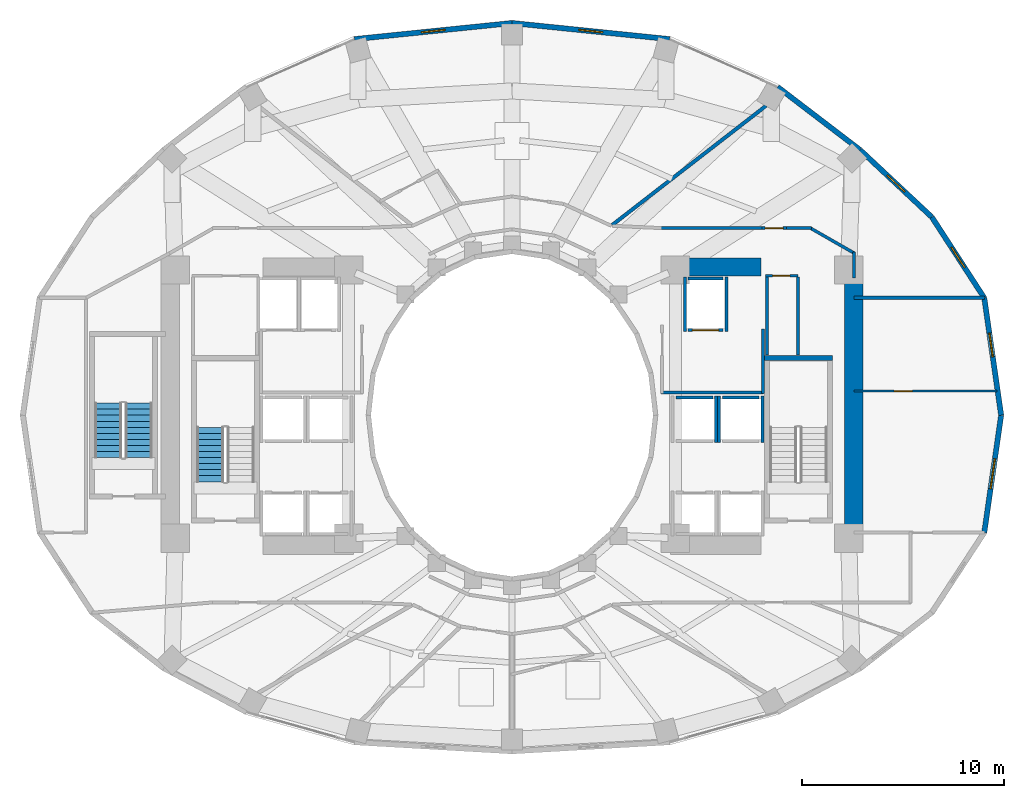
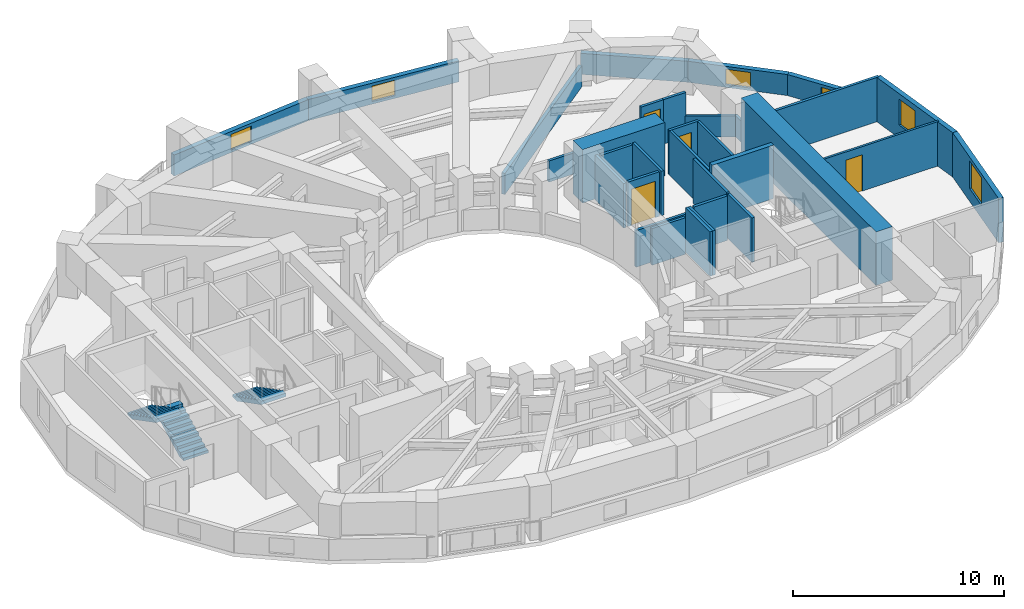
# One storey, part 12 of 16: 32 walls, 6 windows, 4 doors, 3 stair flights, 10 openings, 2 elements without a shape of their own.
"""IFC4 building model written with IfcOpenShell, lengths in metres."""

from ifc_helpers import new_model, si_unit, direction, frame, frame_2d, origin, place, context, subcontext, project, spatial, polyline, rectangle, outline, extrude, material, layer, layer_set, type_object, element, fill, aggregate, save


model = new_model("IFC4")

# Units and contexts
model_context = context("Model", 3, precision=1e-05, world=origin(), true_north=direction((0.0, 1.0)))
body_context = subcontext(model_context, "Body", "Model", "MODEL_VIEW")
ifc_project = project(units=[si_unit("LENGTHUNIT", "METRE"), si_unit("AREAUNIT", "SQUARE_METRE"), si_unit("VOLUMEUNIT", "CUBIC_METRE"), si_unit("PLANEANGLEUNIT", "RADIAN"), si_unit("MASSUNIT", "GRAM", prefix="KILO")], contexts=[model_context])

# Site, building, storey
site_placement = place(None, origin())
site = spatial("IfcSite", under=ifc_project, at=site_placement, CompositionType="ELEMENT")
building_placement = place(site_placement, origin())
building = spatial("IfcBuilding", under=site, at=building_placement, Name="Solvane Sanctuary Tower", CompositionType="ELEMENT")
storey_placement = place(building_placement, frame((0.0, 0.0, 82.5)))
storey = spatial("IfcBuildingStorey", under=building, at=storey_placement, Name="L24", CompositionType="ELEMENT", Elevation=82.5)

# Walls
ifc_material_1 = material(Name="Concrete C70/85", Category="concrete")
ifc_layer_1 = layer(ifc_material_1, 0.89990234375, Name="Concrete C70/85")
ifc_layer_set_1 = layer_set([ifc_layer_1], Name="Concrete C70/85")
wall_type_1 = type_object("IfcWallType", Name="Wall W-CORE-900", PredefinedType="SHEAR", material=ifc_layer_set_1)
wall_1_placement = place(storey_placement, frame((48.949951171875, 17.050048828125, 0.0), z_axis=(0.0, 0.0, 1.0), x_axis=(0.0, 1.0, 0.0)))
element("IfcWall", 1, at=wall_1_placement, inside=storey, type_object=wall_type_1, Name="L24 Core Shear Wall EC-E", PredefinedType="SHEAR", context=body_context, shape_type="SweptSolid", body=[
    extrude(rectangle(XDim=12.800048828125, YDim=0.89990234375, at=frame_2d((6.39990234375, 0.0))), origin(), (0.0, 0.0, 1.0), 3.10009765625),
])
wall_2_placement = place(storey_placement, frame((39.85009765625, 30.35009765625, 0.0), z_axis=(0.0, 0.0, 1.0), x_axis=(1.0, 0.0, 0.0)))
element("IfcWall", 2, at=wall_2_placement, inside=storey, type_object=wall_type_1, Name="L24 Core Shear Wall EC-N", PredefinedType="SHEAR", context=body_context, shape_type="SweptSolid", body=[
    extrude(rectangle(XDim=4.5, YDim=0.89990234375, at=frame_2d((2.25, 0.0))), origin(), (0.0, 0.0, 1.0), 3.10009765625),
])
ifc_material_2 = material(Name="Acoustic Gypsum Partition Board")
ifc_layer_2 = layer(ifc_material_2, 0.14990234375, Name="Acoustic Gypsum Partition Board")
ifc_layer_set_2 = layer_set([ifc_layer_2], Name="Acoustic Gypsum Partition Board")
wall_type_2 = type_object("IfcWallType", Name="Wall W-CORR-150", PredefinedType="PARTITIONING", material=ifc_layer_set_2)
wall_3_placement = place(storey_placement, frame((39.39990234375, 24.1201171875, 0.0), z_axis=(0.0, 0.0, 1.0), x_axis=(1.0, 0.0, 0.0)))
element("IfcWall", 3, at=wall_3_placement, inside=storey, type_object=wall_type_2, Name="L24 East Firefighting Lobby South Wall", PredefinedType="PARTITIONING", context=body_context, shape_type="SweptSolid", body=[
    extrude(rectangle(XDim=5.080078125, YDim=0.14990234375, at=frame_2d((2.5400390625, 0.0))), origin(), (0.0, 0.0, 1.0), 2.1201171875),
])
wall_4_placement = place(storey_placement, frame((44.449951171875, 24.080078125, 0.0), z_axis=(0.0, 0.0, 1.0), x_axis=(0.0, 1.0, 0.0)))
element("IfcWall", 4, at=wall_4_placement, inside=storey, type_object=wall_type_2, Name="L24 East Firefighting Lobby East Wall", PredefinedType="PARTITIONING", context=body_context, shape_type="SweptSolid", body=[
    extrude(rectangle(XDim=3.199951171875, YDim=0.14990234375, at=frame_2d((1.60009765625, 0.0))), origin(), (0.0, 0.0, 1.0), 2.574951171875),
])
wall_5_placement = place(storey_placement, frame((48.949951171875, 28.8251953125, 0.0), z_axis=(0.0, 0.0, 1.0), x_axis=(1.0, 0.0, 0.0)))
element("IfcWall", 5, at=wall_5_placement, inside=storey, type_object=wall_type_2, Name="L24 East Shoulder North Wall", PredefinedType="PARTITIONING", context=body_context, shape_type="SweptSolid", body=[
    extrude(rectangle(XDim=6.49169921875, YDim=0.14990234375, at=frame_2d((3.245849609375, 0.0))), origin(), (0.0, 0.0, 1.0), 2.574951171875),
])
wall_6_placement = place(storey_placement, frame((48.949951171875, 29.800048828125, 0.0), z_axis=(0.0, 0.0, 1.0), x_axis=(0.0, 1.0, 0.0)))
element("IfcWall", 6, at=wall_6_placement, inside=storey, type_object=wall_type_2, Name="L24 NE Corner Closer 1", PredefinedType="PARTITIONING", context=body_context, shape_type="SweptSolid", body=[
    extrude(rectangle(XDim=1.2900390625, YDim=0.14990234375, at=frame_2d((0.64501953125, 0.0))), origin(), (0.0, 0.0, 1.0), 1.219970703125),
])
wall_7_placement = place(storey_placement, frame((39.330078125, 32.280029296875, 0.0), z_axis=(0.0, 0.0, 1.0), x_axis=(1.0, 0.0, 0.0)))
element("IfcWall", 7, at=wall_7_placement, inside=storey, type_object=wall_type_2, Name="L24 NE Corner Corridor Wall", PredefinedType="PARTITIONING", context=body_context, shape_type="SweptSolid", body=[
    extrude(rectangle(XDim=5.059814453125, YDim=0.14990234375, at=frame_2d((2.52978515625, 0.0))), origin(), (0.0, 0.0, 1.0), 1.219970703125),
])

# Wall, opening, door
wall_8_placement = place(storey_placement, frame((44.389892578125, 32.280029296875, 0.0), z_axis=(0.0, 0.0, 1.0), x_axis=(1.0, 0.0, 0.0)))
wall_8 = element("IfcWall", 8, at=wall_8_placement, inside=storey, type_object=wall_type_2, Name="L24 NE Corner Corridor Wall", PredefinedType="PARTITIONING", context=body_context, shape_type="SweptSolid", body=[
    extrude(rectangle(XDim=1.22021484375, YDim=0.14990234375, at=frame_2d((0.610107421875, 0.0))), origin(), (0.0, 0.0, 1.0), 2.574951171875),
])
opening_1_placement = place(wall_8_placement, frame((0.159912109375, 0.0, 0.0)))
opening_1 = element("IfcOpeningElement", 9, at=opening_1_placement, cuts=wall_8, Name="Opening D-L24-11", PredefinedType="OPENING", context=body_context, shape_type="SweptSolid", body=[
    extrude(rectangle(XDim=0.89990234375, YDim=2.10009765625, at=frame_2d((0.449951171875, 1.050048828125))), frame((0.0, 0.0849609375, 0.0), z_axis=(0.0, -1.0, 0.0), x_axis=(1.0, 0.0, 0.0)), (0.0, 0.0, 1.0), 0.169921875),
])
ifc_material_3 = material(Name="Engineered Tropical Hardwood", Category="wood")
door_type_1 = type_object("IfcDoorType", Name="Door D-WET-900", OperationType="NOTDEFINED", PredefinedType="DOOR", material=ifc_material_3)
door_1_placement = place(opening_1_placement, origin())
door_1 = element("IfcDoor", 10, at=door_1_placement, inside=storey, type_object=door_type_1, Name="L24 NE Corner Salon Door", OperationType="SINGLE_SWING_RIGHT", OverallHeight=2.10009765625, OverallWidth=0.89990234375, PredefinedType="DOOR", context=body_context, shape_type="SweptSolid", body=[
    extrude(rectangle(XDim=0.89990234375, YDim=2.10009765625, at=frame_2d((0.449951171875, 1.050048828125))), frame((0.0, 0.02490234375, 0.0), z_axis=(0.0, -1.0, 0.0), x_axis=(1.0, 0.0, 0.0)), (0.0, 0.0, 1.0), 0.050048828125),
])
fill(opening_1, door_1)

# Walls
wall_9_placement = place(storey_placement, frame((45.610107421875, 32.280029296875, 0.0), z_axis=(0.0, 0.0, 1.0), x_axis=(1.0, 0.0, 0.0)))
element("IfcWall", 11, at=wall_9_placement, inside=storey, type_object=wall_type_2, Name="L24 NE Corner Corridor Wall", PredefinedType="PARTITIONING", context=body_context, shape_type="SweptSolid", body=[
    extrude(rectangle(XDim=1.239990234375, YDim=0.14990234375, at=frame_2d((0.6201171875, 0.0))), origin(), (0.0, 0.0, 1.0), 2.574951171875),
])
wall_10_placement = place(storey_placement, frame((46.756591796875, 32.3046875, 0.0), z_axis=(0.0, 0.0, 1.0), x_axis=(0.867991349648, -0.496579315857, 0.0)))
element("IfcWall", 12, at=wall_10_placement, inside=storey, type_object=wall_type_2, Name="L24 NE Corner Wing Wall", PredefinedType="PARTITIONING", context=body_context, shape_type="SweptSolid", body=[
    extrude(rectangle(XDim=2.56689453125, YDim=0.14990234375, at=frame_2d((1.283447265625, 0.0))), origin(), (0.0, 0.0, 1.0), 1.219970703125),
])

# Wall, opening, window
ifc_material_4 = material(Name="Precast concrete C40/50", Category="concrete")
ifc_layer_3 = layer(ifc_material_4, 0.260009765625, Name="Precast concrete C40/50")
ifc_layer_set_3 = layer_set([ifc_layer_3], Name="Precast concrete C40/50")
wall_type_3 = type_object("IfcWallType", Name="Wall W-EXT-250", PredefinedType="STANDARD", material=ifc_layer_set_3)
wall_11_placement = place(storey_placement, frame((56.260009765625, 23.0, 0.0), z_axis=(0.0, 0.0, 1.0), x_axis=(-0.142572472068, 0.98978436551, 0.0)))
wall_11 = element("IfcWall", 13, at=wall_11_placement, inside=storey, type_object=wall_type_3, Name="L24 Ceramic-Printed Facade Wall 00", PredefinedType="STANDARD", context=body_context, shape_type="SweptSolid", body=[
    extrude(rectangle(XDim=5.878662109375, YDim=0.260009765625, at=frame_2d((2.939453125, 0.0))), origin(), (0.0, 0.0, 1.0), 2.570068359375),
])
opening_2_placement = place(wall_11_placement, frame((2.920654296875, 0.0, 0.75)))
opening_2 = element("IfcOpeningElement", 14, at=opening_2_placement, cuts=wall_11, Name="Opening WN-OPER-1200", PredefinedType="OPENING", context=body_context, shape_type="SweptSolid", body=[
    extrude(rectangle(XDim=1.199951171875, YDim=1.5, at=frame_2d((0.60009765625, 0.75))), frame((0.0, 0.139892578125, 0.0), z_axis=(0.0, -1.0, 0.0), x_axis=(1.0, 0.0, 0.0)), (0.0, 0.0, 1.0), 0.280029296875),
])
ifc_material_5 = material(Name="Dark Ceramic-Fritted Low-E Glass", Category="glass")
window_type_1 = type_object("IfcWindowType", Name="Window WN-OPER-1200", PartitioningType="SINGLE_PANEL", PredefinedType="WINDOW", material=ifc_material_5)
window_1_placement = place(opening_2_placement, origin())
window_1 = element("IfcWindow", 15, at=window_1_placement, inside=storey, type_object=window_type_1, Name="L24 Operable Facade Window 00", OverallHeight=1.5, OverallWidth=1.199951171875, PartitioningType="SINGLE_PANEL", PredefinedType="WINDOW", context=body_context, shape_type="SweptSolid", body=[
    extrude(rectangle(XDim=1.199951171875, YDim=1.5, at=frame_2d((0.60009765625, 0.75))), frame((0.0, 0.030029296875, 0.0), z_axis=(0.0, -1.0, 0.0), x_axis=(1.0, 0.0, 0.0)), (0.0, 0.0, 1.0), 0.06005859375),
])
fill(opening_2, window_1)

wall_12_placement = place(storey_placement, frame((55.421875, 28.818603515625, 0.0), z_axis=(0.0, 0.0, 1.0), x_axis=(-0.544388392991, 0.838833283541, 0.0)))
wall_12 = element("IfcWall", 16, at=wall_12_placement, inside=storey, type_object=wall_type_3, Name="L24 Ceramic-Printed Facade Wall 01", PredefinedType="STANDARD", context=body_context, shape_type="SweptSolid", body=[
    extrude(rectangle(XDim=4.7783203125, YDim=0.260009765625, at=frame_2d((2.38916015625, 0.0))), origin(), (0.0, 0.0, 1.0), 1.219970703125),
])
opening_3_placement = place(wall_12_placement, frame((1.7890625, 0.0, 0.14990234375)))
opening_3 = element("IfcOpeningElement", 17, at=opening_3_placement, cuts=wall_12, Name="Opening WN-OPER-1200", PredefinedType="OPENING", context=body_context, shape_type="SweptSolid", body=[
    extrude(rectangle(XDim=1.199951171875, YDim=0.89990234375, at=frame_2d((0.60009765625, 0.449951171875))), frame((0.0, 0.139892578125, 0.0), z_axis=(0.0, -1.0, 0.0), x_axis=(1.0, 0.0, 0.0)), (0.0, 0.0, 1.0), 0.280029296875),
])
window_2_placement = place(opening_3_placement, origin())
window_2 = element("IfcWindow", 18, at=window_2_placement, inside=storey, type_object=window_type_1, Name="L24 Operable Facade Window 01", OverallHeight=0.89990234375, OverallWidth=1.199951171875, PartitioningType="SINGLE_PANEL", PredefinedType="WINDOW", context=body_context, shape_type="SweptSolid", body=[
    extrude(rectangle(XDim=1.199951171875, YDim=0.89990234375, at=frame_2d((0.60009765625, 0.449951171875))), frame((0.0, 0.030029296875, 0.0), z_axis=(0.0, -1.0, 0.0), x_axis=(1.0, 0.0, 0.0)), (0.0, 0.0, 1.0), 0.06005859375),
])
fill(opening_3, window_2)

wall_13_placement = place(storey_placement, frame((52.820556640625, 32.826904296875, 0.0), z_axis=(0.0, 0.0, 1.0), x_axis=(-0.730162452258, 0.68327358599, 0.0)))
wall_13 = element("IfcWall", 19, at=wall_13_placement, inside=storey, type_object=wall_type_3, Name="L24 Ceramic-Printed Facade Wall 02", PredefinedType="STANDARD", context=body_context, shape_type="SweptSolid", body=[
    extrude(rectangle(XDim=4.868408203125, YDim=0.260009765625, at=frame_2d((2.43408203125, 0.0))), origin(), (0.0, 0.0, 1.0), 1.219970703125),
])
opening_4_placement = place(wall_13_placement, frame((1.834228515625, 0.0, 0.14990234375)))
opening_4 = element("IfcOpeningElement", 20, at=opening_4_placement, cuts=wall_13, Name="Opening WN-OPER-1200", PredefinedType="OPENING", context=body_context, shape_type="SweptSolid", body=[
    extrude(rectangle(XDim=1.199951171875, YDim=0.89990234375, at=frame_2d((0.60009765625, 0.449951171875))), frame((0.0, 0.139892578125, 0.0), z_axis=(0.0, -1.0, 0.0), x_axis=(1.0, 0.0, 0.0)), (0.0, 0.0, 1.0), 0.280029296875),
])
window_3_placement = place(opening_4_placement, origin())
window_3 = element("IfcWindow", 21, at=window_3_placement, inside=storey, type_object=window_type_1, Name="L24 Operable Facade Window 02", OverallHeight=0.89990234375, OverallWidth=1.199951171875, PartitioningType="SINGLE_PANEL", PredefinedType="WINDOW", context=body_context, shape_type="SweptSolid", body=[
    extrude(rectangle(XDim=1.199951171875, YDim=0.89990234375, at=frame_2d((0.60009765625, 0.449951171875))), frame((0.0, 0.030029296875, 0.0), z_axis=(0.0, -1.0, 0.0), x_axis=(1.0, 0.0, 0.0)), (0.0, 0.0, 1.0), 0.06005859375),
])
fill(opening_4, window_3)

# Wall
wall_14_placement = place(storey_placement, frame((49.265869140625, 36.1533203125, 0.0), z_axis=(0.0, 0.0, 1.0), x_axis=(-0.794809810864, 0.606858603427, 0.0)))
element("IfcWall", 22, at=wall_14_placement, inside=storey, type_object=wall_type_3, Name="L24 Ceramic-Printed Facade Wall 03", PredefinedType="STANDARD", context=body_context, shape_type="SweptSolid", body=[
    extrude(rectangle(XDim=5.149169921875, YDim=0.260009765625, at=frame_2d((2.57470703125, 0.0))), origin(), (0.0, 0.0, 1.0), 1.219970703125),
])

# Wall, opening, window
wall_15_placement = place(storey_placement, frame((39.81640625, 41.650634765625, 0.0), z_axis=(0.0, 0.0, 1.0), x_axis=(-0.994821390558, 0.101638579726, 0.0)))
wall_15 = element("IfcWall", 23, at=wall_15_placement, inside=storey, type_object=wall_type_3, Name="L24 Ceramic-Printed Facade Wall 05", PredefinedType="STANDARD", context=body_context, shape_type="SweptSolid", body=[
    extrude(rectangle(XDim=7.857177734375, YDim=0.260009765625, at=frame_2d((3.9287109375, 0.0))), origin(), (0.0, 0.0, 1.0), 1.219970703125),
])
opening_5_placement = place(wall_15_placement, frame((3.32861328125, 0.0, 0.14990234375)))
opening_5 = element("IfcOpeningElement", 24, at=opening_5_placement, cuts=wall_15, Name="Opening WN-OPER-1200", PredefinedType="OPENING", context=body_context, shape_type="SweptSolid", body=[
    extrude(rectangle(XDim=1.199951171875, YDim=0.89990234375, at=frame_2d((0.60009765625, 0.449951171875))), frame((0.0, 0.139892578125, 0.0), z_axis=(0.0, -1.0, 0.0), x_axis=(1.0, 0.0, 0.0)), (0.0, 0.0, 1.0), 0.280029296875),
])
window_4_placement = place(opening_5_placement, origin())
window_4 = element("IfcWindow", 25, at=window_4_placement, inside=storey, type_object=window_type_1, Name="L24 Operable Facade Window 05", OverallHeight=0.89990234375, OverallWidth=1.199951171875, PartitioningType="SINGLE_PANEL", PredefinedType="WINDOW", context=body_context, shape_type="SweptSolid", body=[
    extrude(rectangle(XDim=1.199951171875, YDim=0.89990234375, at=frame_2d((0.60009765625, 0.449951171875))), frame((0.0, 0.030029296875, 0.0), z_axis=(0.0, -1.0, 0.0), x_axis=(1.0, 0.0, 0.0)), (0.0, 0.0, 1.0), 0.06005859375),
])
fill(opening_5, window_4)

wall_16_placement = place(storey_placement, frame((32.0, 42.44921875, 0.0), z_axis=(0.0, 0.0, 1.0), x_axis=(-0.994821390558, -0.101638579726, 0.0)))
wall_16 = element("IfcWall", 26, at=wall_16_placement, inside=storey, type_object=wall_type_3, Name="L24 Ceramic-Printed Facade Wall 06", PredefinedType="STANDARD", context=body_context, shape_type="SweptSolid", body=[
    extrude(rectangle(XDim=7.857177734375, YDim=0.260009765625, at=frame_2d((3.9287109375, 0.0))), origin(), (0.0, 0.0, 1.0), 1.219970703125),
])
opening_6_placement = place(wall_16_placement, frame((3.32861328125, 0.0, 0.14990234375)))
opening_6 = element("IfcOpeningElement", 27, at=opening_6_placement, cuts=wall_16, Name="Opening WN-OPER-1200", PredefinedType="OPENING", context=body_context, shape_type="SweptSolid", body=[
    extrude(rectangle(XDim=1.199951171875, YDim=0.89990234375, at=frame_2d((0.60009765625, 0.449951171875))), frame((0.0, 0.139892578125, 0.0), z_axis=(0.0, -1.0, 0.0), x_axis=(1.0, 0.0, 0.0)), (0.0, 0.0, 1.0), 0.280029296875),
])
window_5_placement = place(opening_6_placement, origin())
window_5 = element("IfcWindow", 28, at=window_5_placement, inside=storey, type_object=window_type_1, Name="L24 Operable Facade Window 06", OverallHeight=0.89990234375, OverallWidth=1.199951171875, PartitioningType="SINGLE_PANEL", PredefinedType="WINDOW", context=body_context, shape_type="SweptSolid", body=[
    extrude(rectangle(XDim=1.199951171875, YDim=0.89990234375, at=frame_2d((0.60009765625, 0.449951171875))), frame((0.0, 0.030029296875, 0.0), z_axis=(0.0, -1.0, 0.0), x_axis=(1.0, 0.0, 0.0)), (0.0, 0.0, 1.0), 0.06005859375),
])
fill(opening_6, window_5)

wall_17_placement = place(storey_placement, frame((55.421875, 17.181396484375, 0.0), z_axis=(0.0, 0.0, 1.0), x_axis=(0.142572472068, 0.98978436551, 0.0)))
wall_17 = element("IfcWall", 29, at=wall_17_placement, inside=storey, type_object=wall_type_3, Name="L24 Ceramic-Printed Facade Wall 23", PredefinedType="STANDARD", context=body_context, shape_type="SweptSolid", body=[
    extrude(rectangle(XDim=5.878662109375, YDim=0.260009765625, at=frame_2d((2.939453125, 0.0))), origin(), (0.0, 0.0, 1.0), 2.570068359375),
])
opening_7_placement = place(wall_17_placement, frame((2.189453125, 0.0, 0.75)))
opening_7 = element("IfcOpeningElement", 30, at=opening_7_placement, cuts=wall_17, Name="Opening WN-OPER-1500", PredefinedType="OPENING", context=body_context, shape_type="SweptSolid", body=[
    extrude(rectangle(XDim=1.5, YDim=1.60009765625, at=frame_2d((0.75, 0.800048828125))), frame((0.0, 0.139892578125, 0.0), z_axis=(0.0, -1.0, 0.0), x_axis=(1.0, 0.0, 0.0)), (0.0, 0.0, 1.0), 0.280029296875),
])
window_type_2 = type_object("IfcWindowType", Name="Window WN-OPER-1500", PartitioningType="SINGLE_PANEL", PredefinedType="WINDOW", material=ifc_material_5)
window_6_placement = place(opening_7_placement, origin())
window_6 = element("IfcWindow", 31, at=window_6_placement, inside=storey, type_object=window_type_2, Name="L24 Operable Facade Window 23", OverallHeight=1.60009765625, OverallWidth=1.5, PartitioningType="SINGLE_PANEL", PredefinedType="WINDOW", context=body_context, shape_type="SweptSolid", body=[
    extrude(rectangle(XDim=1.5, YDim=1.60009765625, at=frame_2d((0.75, 0.800048828125))), frame((0.0, 0.030029296875, 0.0), z_axis=(0.0, -1.0, 0.0), x_axis=(1.0, 0.0, 0.0)), (0.0, 0.0, 1.0), 0.06005859375),
])
fill(opening_7, window_6)

# Wall, opening, door
ifc_layer_4 = layer(ifc_material_2, 0.1201171875, Name="Acoustic Gypsum Partition Board")
ifc_layer_set_4 = layer_set([ifc_layer_4], Name="Acoustic Gypsum Partition Board")
wall_type_4 = type_object("IfcWallType", Name="Wall W-MOV-100", PredefinedType="MOVABLE", material=ifc_layer_set_4)
wall_18_placement = place(storey_placement, frame((48.949951171875, 24.199951171875, 0.0), z_axis=(0.0, 0.0, 1.0), x_axis=(1.0, 0.0, 0.0)))
wall_18 = element("IfcWall", 32, at=wall_18_placement, inside=storey, type_object=wall_type_4, Name="L24 East Suite Partition", PredefinedType="MOVABLE", context=body_context, shape_type="SweptSolid", body=[
    extrude(rectangle(XDim=7.097412109375, YDim=0.1201171875, at=frame_2d((3.548828125, 0.0))), origin(), (0.0, 0.0, 1.0), 2.574951171875),
])
opening_8_placement = place(wall_18_placement, frame((2.0, 0.0, 0.0)))
opening_8 = element("IfcOpeningElement", 33, at=opening_8_placement, cuts=wall_18, Name="Opening D-L24-09", PredefinedType="OPENING", context=body_context, shape_type="SweptSolid", body=[
    extrude(rectangle(XDim=0.89990234375, YDim=2.10009765625, at=frame_2d((0.449951171875, 1.050048828125))), frame((0.0, 0.070068359375, 0.0), z_axis=(0.0, -1.0, 0.0), x_axis=(1.0, 0.0, 0.0)), (0.0, 0.0, 1.0), 0.14013671875),
])
door_2_placement = place(opening_8_placement, origin())
door_2 = element("IfcDoor", 34, at=door_2_placement, inside=storey, type_object=door_type_1, Name="L24 East Suite Internal Door", OperationType="SINGLE_SWING_RIGHT", OverallHeight=2.10009765625, OverallWidth=0.89990234375, PredefinedType="DOOR", context=body_context, shape_type="SweptSolid", body=[
    extrude(rectangle(XDim=0.89990234375, YDim=2.10009765625, at=frame_2d((0.449951171875, 1.050048828125))), frame((0.0, 0.02490234375, 0.0), z_axis=(0.0, -1.0, 0.0), x_axis=(1.0, 0.0, 0.0)), (0.0, 0.0, 1.0), 0.050048828125),
])
fill(opening_8, door_2)

# Walls
ifc_material_6 = material(Name="Concrete C50/60", Category="concrete")
ifc_layer_5 = layer(ifc_material_6, 0.14990234375, Name="Concrete C50/60")
ifc_layer_set_5 = layer_set([ifc_layer_5], Name="Concrete C50/60")
wall_type_5 = type_object("IfcWallType", Name="Wall W-SHAFT-150", PredefinedType="SOLIDWALL", material=ifc_layer_set_5)
wall_19_placement = place(storey_placement, frame((42.43994140625, 23.8798828125, 0.0), z_axis=(0.0, 0.0, 1.0), x_axis=(1.0, 0.0, 0.0)))
element("IfcWall", 35, at=wall_19_placement, inside=storey, type_object=wall_type_5, Name="L24 PM-2 Lift Shaft Wall B", PredefinedType="SOLIDWALL", context=body_context, shape_type="SweptSolid", body=[
    extrude(rectangle(XDim=1.820068359375, YDim=0.14990234375, at=frame_2d((0.91015625, 0.0))), origin(), (0.0, 0.0, 1.0), 2.574951171875),
])
for number, where, z_axis, x_axis, name in (
    (36, (42.27001953125, 21.639892578125, 0.0), (0.0, 0.0, 1.0), (0.0, 1.0, 0.0), "L24 PM-2 Lift Shaft Wall S1"),
    (37, (44.429931640625, 21.639892578125, 0.0), (0.0, 0.0, 1.0), (0.0, 1.0, 0.0), "L24 PM-2 Lift Shaft Wall S2"),
):
    element("IfcWall", number, at=place(storey_placement, frame(where, z_axis=z_axis, x_axis=x_axis)), inside=storey, type_object=wall_type_5, Name=name, PredefinedType="SOLIDWALL", context=body_context, shape_type="SweptSolid", body=[
        extrude(rectangle(XDim=2.320068359375, YDim=0.14990234375, at=frame_2d((1.16015625, 0.0))), origin(), (0.0, 0.0, 1.0), 2.574951171875),
    ])
wall_20_placement = place(storey_placement, frame((40.139892578125, 23.8798828125, 0.0), z_axis=(0.0, 0.0, 1.0), x_axis=(1.0, 0.0, 0.0)))
element("IfcWall", 38, at=wall_20_placement, inside=storey, type_object=wall_type_5, Name="L24 PH-2 Lift Shaft Wall B", PredefinedType="SOLIDWALL", context=body_context, shape_type="SweptSolid", body=[
    extrude(rectangle(XDim=1.820068359375, YDim=0.14990234375, at=frame_2d((0.91015625, 0.0))), origin(), (0.0, 0.0, 1.0), 2.1201171875),
])
wall_21_placement = place(storey_placement, frame((42.1298828125, 21.639892578125, 0.0), z_axis=(0.0, 0.0, 1.0), x_axis=(0.0, 1.0, 0.0)))
element("IfcWall", 39, at=wall_21_placement, inside=storey, type_object=wall_type_5, Name="L24 PH-2 Lift Shaft Wall S2", PredefinedType="SOLIDWALL", context=body_context, shape_type="SweptSolid", body=[
    extrude(rectangle(XDim=2.320068359375, YDim=0.14990234375, at=frame_2d((1.16015625, 0.0))), origin(), (0.0, 0.0, 1.0), 2.574951171875),
])

# Wall, opening, door
wall_22_placement = place(storey_placement, frame((40.739990234375, 27.219970703125, 0.0), z_axis=(0.0, 0.0, 1.0), x_axis=(1.0, 0.0, 0.0)))
wall_22 = element("IfcWall", 40, at=wall_22_placement, inside=storey, type_object=wall_type_5, Name="L24 FFL-2 Lift Shaft Wall F", PredefinedType="SOLIDWALL", context=body_context, shape_type="SweptSolid", body=[
    extrude(rectangle(XDim=1.719970703125, YDim=0.14990234375, at=frame_2d((0.85986328125, 0.0))), origin(), (0.0, 0.0, 1.0), 2.574951171875),
])
opening_9_placement = place(wall_22_placement, frame((0.2099609375, 0.0, 0.0)))
opening_9 = element("IfcOpeningElement", 41, at=opening_9_placement, cuts=wall_22, Name="Opening LD-L24-07", PredefinedType="OPENING", context=body_context, shape_type="SweptSolid", body=[
    extrude(rectangle(XDim=1.300048828125, YDim=2.10009765625, at=frame_2d((0.64990234375, 1.050048828125))), frame((0.0, 0.0849609375, 0.0), z_axis=(0.0, -1.0, 0.0), x_axis=(1.0, 0.0, 0.0)), (0.0, 0.0, 1.0), 0.169921875),
])
ifc_material_7 = material(Name="Architectural Stainless Steel 316", Category="steel")
door_type_2 = type_object("IfcDoorType", Name="Door LD-FFL-1300", OperationType="NOTDEFINED", PredefinedType="DOOR", material=ifc_material_7)
door_3_placement = place(opening_9_placement, origin())
door_3 = element("IfcDoor", 42, at=door_3_placement, inside=storey, type_object=door_type_2, Name="L24 FFL-2 Lift Landing Door", OperationType="DOUBLE_DOOR_SLIDING", OverallHeight=2.10009765625, OverallWidth=1.300048828125, PredefinedType="DOOR", context=body_context, shape_type="SweptSolid", body=[
    extrude(rectangle(XDim=1.300048828125, YDim=2.10009765625, at=frame_2d((0.64990234375, 1.050048828125))), frame((0.0, 0.02490234375, 0.0), z_axis=(0.0, -1.0, 0.0), x_axis=(1.0, 0.0, 0.0)), (0.0, 0.0, 1.0), 0.050048828125),
])
fill(opening_9, door_3)

# Walls
wall_23_placement = place(storey_placement, frame((40.739990234375, 29.780029296875, 0.0), z_axis=(0.0, 0.0, 1.0), x_axis=(1.0, 0.0, 0.0)))
element("IfcWall", 43, at=wall_23_placement, inside=storey, type_object=wall_type_5, Name="L24 FFL-2 Lift Shaft Wall B", PredefinedType="SOLIDWALL", context=body_context, shape_type="SweptSolid", body=[
    extrude(rectangle(XDim=1.719970703125, YDim=0.14990234375, at=frame_2d((0.85986328125, 0.0))), origin(), (0.0, 0.0, 1.0), 2.574951171875),
])
for number, where, z_axis, x_axis, name in (
    (44, (40.570068359375, 27.139892578125, 0.0), (0.0, 0.0, 1.0), (0.0, 1.0, 0.0), "L24 FFL-2 Lift Shaft Wall S1"),
    (45, (42.6298828125, 27.139892578125, 0.0), (0.0, 0.0, 1.0), (0.0, 1.0, 0.0), "L24 FFL-2 Lift Shaft Wall S2"),
):
    element("IfcWall", number, at=place(storey_placement, frame(where, z_axis=z_axis, x_axis=x_axis)), inside=storey, type_object=wall_type_5, Name=name, PredefinedType="SOLIDWALL", context=body_context, shape_type="SweptSolid", body=[
        extrude(rectangle(XDim=2.72021484375, YDim=0.14990234375, at=frame_2d((1.360107421875, 0.0))), origin(), (0.0, 0.0, 1.0), 2.574951171875),
    ])
ifc_layer_6 = layer(ifc_material_6, 0.25, Name="Concrete C50/60")
ifc_layer_set_6 = layer_set([ifc_layer_6], Name="Concrete C50/60")
wall_type_6 = type_object("IfcWallType", Name="Wall W-SHAFT-250", PredefinedType="SOLIDWALL", material=ifc_layer_set_6)
wall_24_placement = place(storey_placement, frame((44.52490234375, 25.830078125, 0.0), z_axis=(0.0, 0.0, 1.0), x_axis=(1.0, 0.0, 0.0)))
element("IfcWall", 46, at=wall_24_placement, inside=storey, type_object=wall_type_6, Name="L24 ST-2 Load-Bearing Shaft Wall N", PredefinedType="SOLIDWALL", context=body_context, shape_type="SweptSolid", body=[
    extrude(rectangle(XDim=3.3701171875, YDim=0.25, at=frame_2d((1.68505859375, 0.0))), origin(), (0.0, 0.0, 1.0), 3.10009765625),
])
ifc_layer_7 = layer(ifc_material_2, 0.179931640625, Name="Acoustic Gypsum Partition Board")
ifc_layer_set_7 = layer_set([ifc_layer_7], Name="Acoustic Gypsum Partition Board")
wall_type_7 = type_object("IfcWallType", Name="Wall W-UNIT-180", PredefinedType="PARTITIONING", material=ifc_layer_set_7)
wall_25_placement = place(storey_placement, frame((36.968505859375, 32.43017578125, 0.0), z_axis=(0.0, 0.0, 1.0), x_axis=(0.790421780952, 0.612562983045, 0.0)))
element("IfcWall", 47, at=wall_25_placement, inside=storey, type_object=wall_type_7, Name="L24 Radial Compartment Wall 060", PredefinedType="PARTITIONING", context=body_context, shape_type="SweptSolid", body=[
    extrude(rectangle(XDim=9.662109375, YDim=0.179931640625, at=frame_2d((4.8310546875, 0.0))), origin(), (0.0, 0.0, 1.0), 1.219970703125),
])

# Wall, opening, door
ifc_layer_8 = layer(ifc_material_2, 0.139892578125, Name="Acoustic Gypsum Partition Board")
ifc_layer_set_8 = layer_set([ifc_layer_8], Name="Acoustic Gypsum Partition Board")
wall_type_8 = type_object("IfcWallType", Name="Wall W-WET-140", PredefinedType="PLUMBINGWALL", material=ifc_layer_set_8)
wall_26_placement = place(storey_placement, frame((44.580078125, 29.919921875, 0.0), z_axis=(0.0, 0.0, 1.0), x_axis=(1.0, 0.0, 0.0)))
wall_26 = element("IfcWall", 48, at=wall_26_placement, inside=storey, type_object=wall_type_8, Name="L24 Core Service Front Wall KE0S", PredefinedType="PLUMBINGWALL", context=body_context, shape_type="SweptSolid", body=[
    extrude(rectangle(XDim=1.599853515625, YDim=0.139892578125, at=frame_2d((0.7998046875, 0.0))), origin(), (0.0, 0.0, 1.0), 2.574951171875),
])
opening_10_placement = place(wall_26_placement, frame((0.35009765625, 0.0, 0.0)))
opening_10 = element("IfcOpeningElement", 49, at=opening_10_placement, cuts=wall_26, Name="Opening D-L24-07", PredefinedType="OPENING", context=body_context, shape_type="SweptSolid", body=[
    extrude(rectangle(XDim=0.85009765625, YDim=2.050048828125, at=frame_2d((0.425048828125, 1.02490234375))), frame((0.0, 0.079833984375, 0.0), z_axis=(0.0, -1.0, 0.0), x_axis=(1.0, 0.0, 0.0)), (0.0, 0.0, 1.0), 0.159912109375),
])
door_type_3 = type_object("IfcDoorType", Name="Door D-RISER", OperationType="NOTDEFINED", PredefinedType="DOOR", material=ifc_material_7)
door_4_placement = place(opening_10_placement, origin())
door_4 = element("IfcDoor", 50, at=door_4_placement, inside=storey, type_object=door_type_3, Name="L24 Core Service Room Door KE0S-1", OperationType="SINGLE_SWING_RIGHT", OverallHeight=2.050048828125, OverallWidth=0.85009765625, PredefinedType="DOOR", context=body_context, shape_type="SweptSolid", body=[
    extrude(rectangle(XDim=0.85009765625, YDim=2.050048828125, at=frame_2d((0.425048828125, 1.02490234375))), frame((0.0, 0.02490234375, 0.0), z_axis=(0.0, -1.0, 0.0), x_axis=(1.0, 0.0, 0.0)), (0.0, 0.0, 1.0), 0.050048828125),
])
fill(opening_10, door_4)

# Walls
for number, where, z_axis, x_axis, name in (
    (51, (44.639892578125, 25.97998046875, 0.0), (0.0, 0.0, 1.0), (0.0, 1.0, 0.0), "L24 Core Service Side Wall KE0S-1"),
    (52, (46.179931640625, 25.97998046875, 0.0), (0.0, 0.0, 1.0), (0.0, 1.0, 0.0), "L24 Core Service Side Wall KE0S-2"),
):
    element("IfcWall", number, at=place(storey_placement, frame(where, z_axis=z_axis, x_axis=x_axis)), inside=storey, type_object=wall_type_8, Name=name, PredefinedType="PLUMBINGWALL", context=body_context, shape_type="SweptSolid", body=[
        extrude(rectangle(XDim=3.880126953125, YDim=0.139892578125, at=frame_2d((1.93994140625, 0.0))), origin(), (0.0, 0.0, 1.0), 2.574951171875),
    ])

# Stair, stair flight
ifc_material_8 = material(Name="Concrete C45/55", Category="concrete")
stair_type = type_object("IfcStairType", Name="Stair ST-TOW", PredefinedType="HALF_TURN_STAIR", material=ifc_material_8)
stair_1_placement = place(storey_placement, origin())
stair_1 = element("IfcStair", 53, at=stair_1_placement, inside=storey, type_object=stair_type, Name="L24 Exit Stair ST-1 West Core", PredefinedType="HALF_TURN_STAIR")
stair_flight_type = type_object("IfcStairFlightType", Name="StairFlight SF-TOW", PredefinedType="STRAIGHT", material=ifc_material_8)
stair_flight_1_placement = place(storey_placement, frame((17.034912109375, 22.39990234375, 1.550048828125), z_axis=(0.0, 0.0, 1.0), x_axis=(0.0, -1.0, 0.0)))
stair_flight_1 = element("IfcStairFlight", 54, at=stair_flight_1_placement, type_object=stair_flight_type, Name="ST-1 flight 2", NumberOfRisers=10, NumberOfTreads=9, PredefinedType="STRAIGHT", RiserHeight=0.155, TreadLength=0.3, context=body_context, shape_type="SweptSolid", body=[
    extrude(outline(polyline([(0.0, 0.0), (0.0, 0.155029296875), (0.300048828125, 0.155029296875), (0.300048828125, 0.31005859375), (0.60009765625, 0.31005859375), (0.60009765625, 0.465087890625), (0.89990234375, 0.465087890625), (0.89990234375, 0.6201171875), (1.199951171875, 0.6201171875), (1.199951171875, 0.77490234375), (1.5, 0.77490234375), (1.5, 0.929931640625), (1.800048828125, 0.929931640625), (1.800048828125, 1.0849609375), (2.10009765625, 1.0849609375), (2.10009765625, 1.239990234375), (2.39990234375, 1.239990234375), (2.39990234375, 1.39501953125), (2.699951171875, 1.39501953125), (2.699951171875, 1.550048828125), (2.699951171875, 1.1923828125), (0.39208984375, 0.0), (0.0, 0.0)])), frame((0.0, 0.675048828125, 0.0), z_axis=(0.0, -1.0, 0.0), x_axis=(1.0, 0.0, 0.0)), (0.0, 0.0, 1.0), 1.35009765625),
])
aggregate(stair_1, [stair_flight_1])

# Stair, stair flights
stair_2_placement = place(storey_placement, origin())
stair_2 = element("IfcStair", 55, at=stair_2_placement, inside=storey, type_object=stair_type, Name="L24 Exit Stair ST-3 Pilgrim Tower Stair", PredefinedType="HALF_TURN_STAIR")
stair_flight_2_placement = place(storey_placement, frame((13.485107421875, 20.89990234375, 0.0), z_axis=(0.0, 0.0, 1.0), x_axis=(0.0, 1.0, 0.0)))
stair_flight_2 = element("IfcStairFlight", 56, at=stair_flight_2_placement, type_object=stair_flight_type, Name="ST-3 flight 1", NumberOfRisers=10, NumberOfTreads=9, PredefinedType="STRAIGHT", RiserHeight=0.155, TreadLength=0.3, context=body_context, shape_type="SweptSolid", body=[
    extrude(outline(polyline([(0.0, 0.0), (0.0, 0.155029296875), (0.300048828125, 0.155029296875), (0.300048828125, 0.31005859375), (0.60009765625, 0.31005859375), (0.60009765625, 0.465087890625), (0.89990234375, 0.465087890625), (0.89990234375, 0.6201171875), (1.199951171875, 0.6201171875), (1.199951171875, 0.77490234375), (1.5, 0.77490234375), (1.5, 0.929931640625), (1.800048828125, 0.929931640625), (1.800048828125, 1.0849609375), (2.10009765625, 1.0849609375), (2.10009765625, 1.239990234375), (2.39990234375, 1.239990234375), (2.39990234375, 1.39501953125), (2.699951171875, 1.39501953125), (2.699951171875, 1.550048828125), (2.699951171875, 1.1923828125), (0.39208984375, 0.0), (0.0, 0.0)])), frame((0.0, 0.675048828125, 0.0), z_axis=(0.0, -1.0, 0.0), x_axis=(1.0, 0.0, 0.0)), (0.0, 0.0, 1.0), 1.35009765625),
])
stair_flight_3_placement = place(storey_placement, frame((11.97509765625, 23.60009765625, 1.550048828125), z_axis=(0.0, 0.0, 1.0), x_axis=(0.0, -1.0, 0.0)))
stair_flight_3 = element("IfcStairFlight", 57, at=stair_flight_3_placement, type_object=stair_flight_type, Name="ST-3 flight 2", NumberOfRisers=10, NumberOfTreads=9, PredefinedType="STRAIGHT", RiserHeight=0.155, TreadLength=0.3, context=body_context, shape_type="SweptSolid", body=[
    extrude(outline(polyline([(0.0, 0.0), (0.0, 0.155029296875), (0.300048828125, 0.155029296875), (0.300048828125, 0.31005859375), (0.60009765625, 0.31005859375), (0.60009765625, 0.465087890625), (0.89990234375, 0.465087890625), (0.89990234375, 0.6201171875), (1.199951171875, 0.6201171875), (1.199951171875, 0.77490234375), (1.5, 0.77490234375), (1.5, 0.929931640625), (1.800048828125, 0.929931640625), (1.800048828125, 1.0849609375), (2.10009765625, 1.0849609375), (2.10009765625, 1.239990234375), (2.39990234375, 1.239990234375), (2.39990234375, 1.39501953125), (2.699951171875, 1.39501953125), (2.699951171875, 1.550048828125), (2.699951171875, 1.1923828125), (0.39208984375, 0.0), (0.0, 0.0)])), frame((0.0, 0.675048828125, 0.0), z_axis=(0.0, -1.0, 0.0), x_axis=(1.0, 0.0, 0.0)), (0.0, 0.0, 1.0), 1.35009765625),
])
aggregate(stair_2, [stair_flight_2, stair_flight_3])

save(model, "model.ifc")
